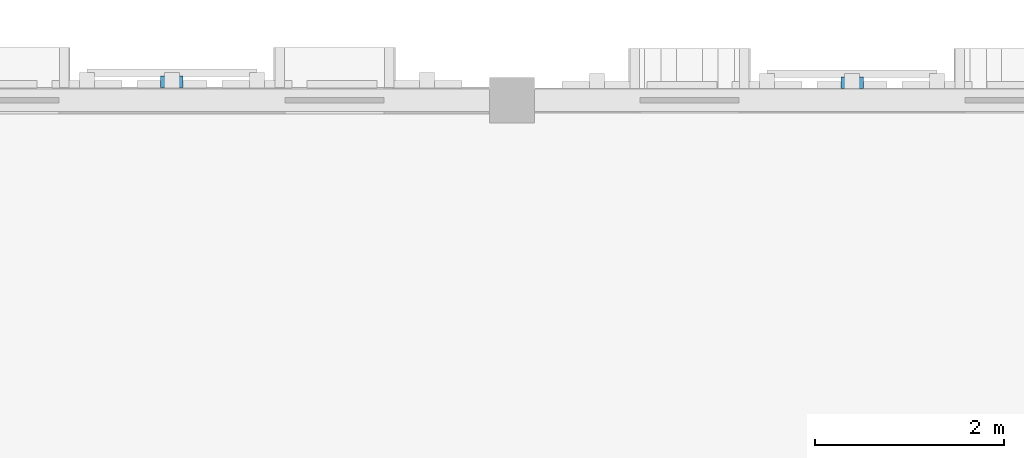
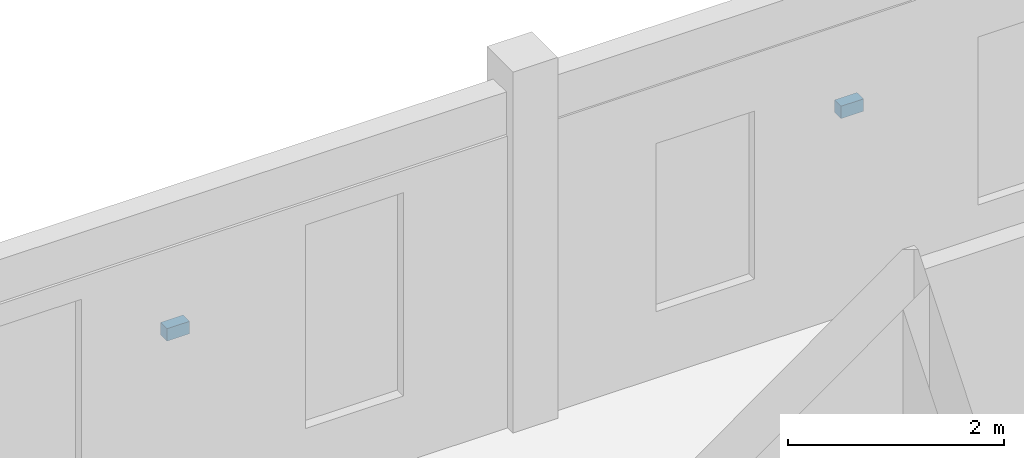
# One storey, part 61 of 79: 2 discrete accessories.
"""IFC4 building model written with IfcOpenShell, lengths in metres."""

from ifc_helpers import new_model, si_unit, direction, frame, origin, origin_2d, place, context, subcontext, project, spatial, rectangle, extrude, material, type_object, element, save


model = new_model("IFC4")

# Units and contexts
model_context = context("Model", 3, precision=1e-05, world=origin(), true_north=direction((0.0, 1.0)))
body_context = subcontext(model_context, "Body", "Model", "MODEL_VIEW")
ifc_project = project(units=[si_unit("LENGTHUNIT", "METRE"), si_unit("AREAUNIT", "SQUARE_METRE"), si_unit("VOLUMEUNIT", "CUBIC_METRE"), si_unit("PLANEANGLEUNIT", "RADIAN"), si_unit("MASSUNIT", "GRAM", prefix="KILO")], contexts=[model_context])

# Site, building, storey
site_placement = place(None, origin())
site = spatial("IfcSite", under=ifc_project, at=site_placement, CompositionType="ELEMENT")
building_placement = place(site_placement, origin())
building = spatial("IfcBuilding", under=site, at=building_placement, Name="Nzembalo Square Collegiate School", CompositionType="ELEMENT")
storey_placement = place(building_placement, frame((0.0, 0.0, 9.52001953125)))
storey = spatial("IfcBuildingStorey", under=building, at=storey_placement, Name="L02", CompositionType="ELEMENT", Elevation=9.52001953125)

# Discrete accessories
ifc_material = material(Name="Steel S355", Category="steel")
discrete_accessory_type = type_object("IfcDiscreteAccessoryType", Name="BK01", PredefinedType="BRACKET", material=ifc_material)
for number, where, z_axis, x_axis, name in (
    (1, (80.39990234375, 114.197509765625, 2.029296875), (0.0, 0.0, 1.0), (1.0, 0.0, 0.0), "Screen bracket BK01-013"),
    (2, (87.60009765625, 114.1875, 2.029296875), (0.0, 0.0, 1.0), (1.0, 0.0, 0.0), "Screen bracket BK01-014"),
):
    element("IfcDiscreteAccessory", number, at=place(storey_placement, frame(where, z_axis=z_axis, x_axis=x_axis)), inside=storey, type_object=discrete_accessory_type, Name=name, PredefinedType="BRACKET", context=body_context, shape_type="SweptSolid", body=[
        extrude(rectangle(XDim=0.239990234375, YDim=0.1201171875, at=origin_2d()), origin(), (0.0, 0.0, 1.0), 0.139892578125),
    ])

save(model, "model.ifc")
